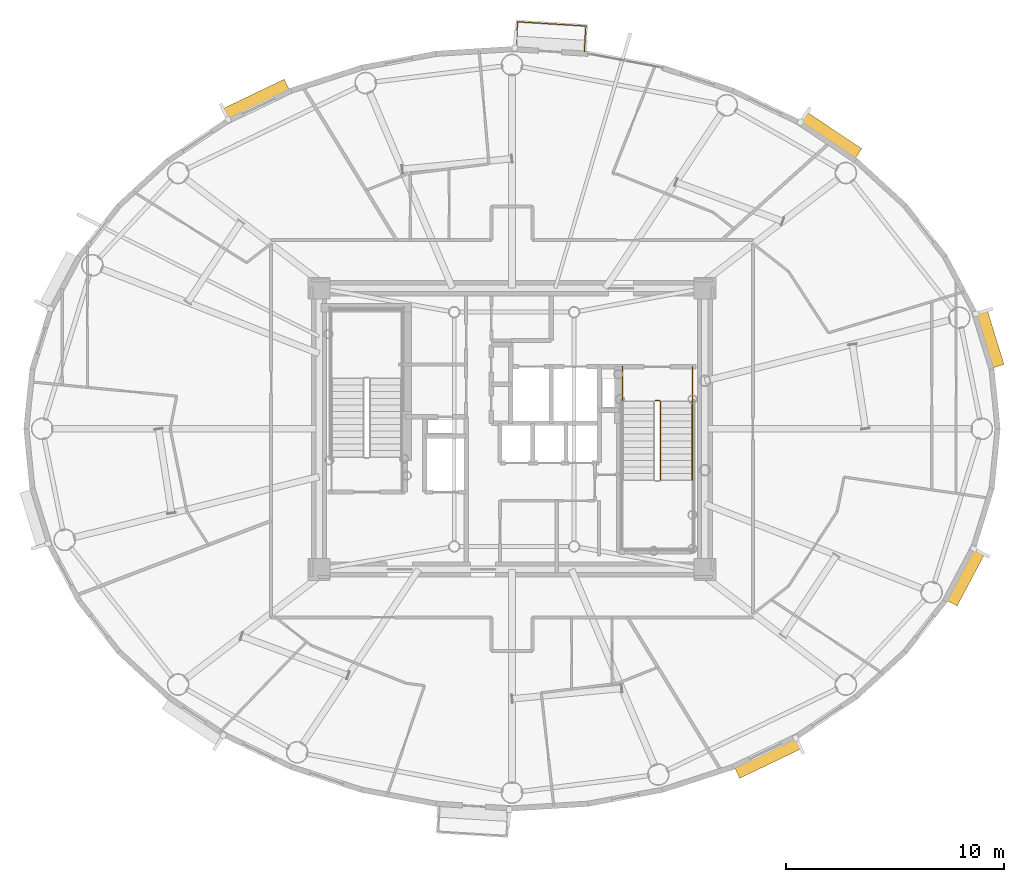
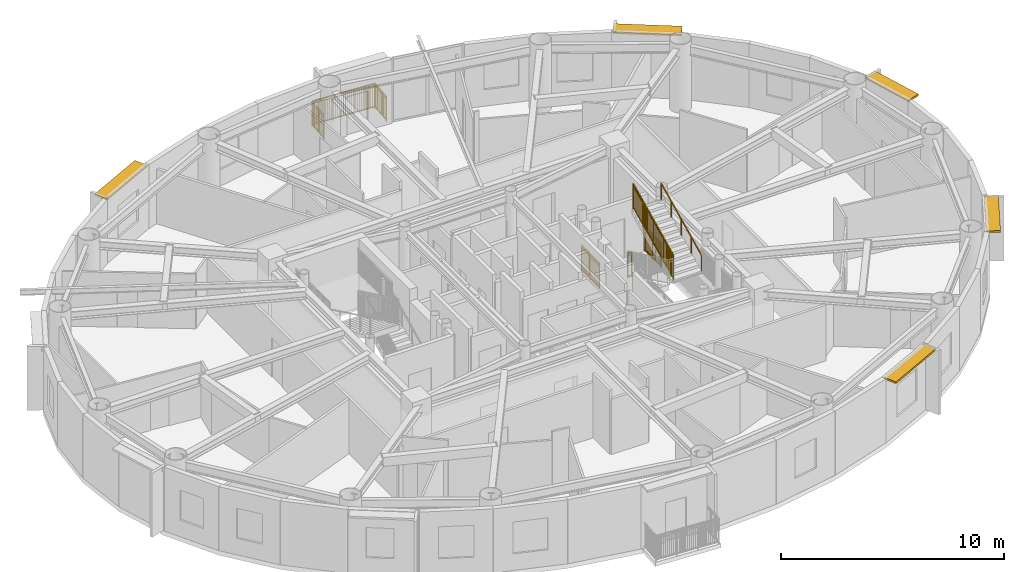
# One storey, part 19 of 20: 6 railings, 5 shading devices.
"""IFC4 building model written with IfcOpenShell, lengths in metres."""

from ifc_helpers import new_model, si_unit, direction, frame, origin, origin_2d, place, context, subcontext, project, spatial, rectangle, extrude, source, transform, mapped, material, layer, layer_set, type_object, element, save


model = new_model("IFC4")

# Units and contexts
model_context = context("Model", 3, precision=1e-05, world=origin(), true_north=direction((0.0, 1.0)))
body_context = subcontext(model_context, "Body", "Model", "MODEL_VIEW")
ifc_project = project(units=[si_unit("LENGTHUNIT", "METRE"), si_unit("AREAUNIT", "SQUARE_METRE"), si_unit("VOLUMEUNIT", "CUBIC_METRE"), si_unit("PLANEANGLEUNIT", "RADIAN"), si_unit("MASSUNIT", "GRAM", prefix="KILO")], contexts=[model_context])

# Site, building, storey
site_placement = place(None, origin())
site = spatial("IfcSite", under=ifc_project, at=site_placement, CompositionType="ELEMENT")
building_placement = place(site_placement, origin())
building = spatial("IfcBuilding", under=site, at=building_placement, Name="Linh Dai School and Residence Tower", CompositionType="ELEMENT")
storey_placement = place(building_placement, frame((0.0, 0.0, 288.0)))
storey = spatial("IfcBuildingStorey", under=building, at=storey_placement, Name="L71", CompositionType="ELEMENT", Elevation=288.0)

# Shading devices
ifc_material_1 = material(Name="Terracotta Ceramic Sunshade", Category="masonry")
ifc_layer = layer(ifc_material_1, 0.10009765625)
ifc_layer_set = layer_set([ifc_layer], Name="Terracotta Ceramic Sunshade")
shading_device_type = type_object("IfcShadingDeviceType", Name="SHD-TC-650", PredefinedType="USERDEFINED", material=ifc_layer_set)
shared_shape_1 = source(origin(), body_context, "Body", "SweptSolid", [
    extrude(rectangle(XDim=2.6640625, YDim=0.64990234375, at=origin_2d()), origin(), (0.0, 0.0, 1.0), 0.10009765625),
])
shading_device_1_placement = place(storey_placement, frame((57.867431640625, 31.129150390625, 3.3798828125), z_axis=(0.0, 0.0, 1.0), x_axis=(0.293140945944, -0.956069236934, 0.0)))
element("IfcShadingDevice", 1, at=shading_device_1_placement, inside=storey, type_object=shading_device_type, Name="L71 Terracotta Horizontal Sunshade Band 02", ObjectType="SUNSHADE", PredefinedType="USERDEFINED", context=body_context, shape_type="MappedRepresentation", body=[
    mapped(shared_shape_1, transform((0.0, 0.0, 0.0), x_axis=(1.0, 0.0, 0.0), y_axis=(0.0, 1.0, 0.0), z_axis=(0.0, 0.0, 1.0), scale=1.0)),
])
shared_shape_2 = source(origin(), body_context, "Body", "SweptSolid", [
    extrude(rectangle(XDim=3.069091796875, YDim=0.64990234375, at=origin_2d()), origin(), (0.0, 0.0, 1.0), 0.10009765625),
])
shading_device_2_placement = place(storey_placement, frame((50.591796875, 40.4296875, 3.3798828125), z_axis=(0.0, 0.0, 1.0), x_axis=(0.831243873264, -0.555907926874, 0.0)))
element("IfcShadingDevice", 2, at=shading_device_2_placement, inside=storey, type_object=shading_device_type, Name="L71 Terracotta Horizontal Sunshade Band 06", ObjectType="SUNSHADE", PredefinedType="USERDEFINED", context=body_context, shape_type="MappedRepresentation", body=[
    mapped(shared_shape_2, transform((0.0, 0.0, 0.0), x_axis=(1.0, 0.0, 0.0), y_axis=(0.0, 1.0, 0.0), z_axis=(0.0, 0.0, 1.0), scale=1.0)),
])
shared_shape_3 = source(origin(), body_context, "Body", "SweptSolid", [
    extrude(rectangle(XDim=3.1748046875, YDim=0.64990234375, at=origin_2d()), origin(), (0.0, 0.0, 1.0), 0.10009765625),
])
for number, where, z_axis, x_axis, name in (
    (3, (24.262939453125, 42.0537109375, 3.3798828125), (0.0, 0.0, 1.0), (0.901580240323, 0.432611916456, 0.0), "L71 Terracotta Horizontal Sunshade Band 14"),
    (4, (47.737060546875, 11.9462890625, 3.3798828125), (0.0, 0.0, 1.0), (-0.901580240323, -0.432611916456, 0.0), "L71 Terracotta Horizontal Sunshade Band 34"),
):
    element("IfcShadingDevice", number, at=place(storey_placement, frame(where, z_axis=z_axis, x_axis=x_axis)), inside=storey, type_object=shading_device_type, Name=name, ObjectType="SUNSHADE", PredefinedType="USERDEFINED", context=body_context, shape_type="MappedRepresentation", body=[
        mapped(shared_shape_3, transform((0.0, 0.0, 0.0), x_axis=(1.0, 0.0, 0.0), y_axis=(0.0, 1.0, 0.0), z_axis=(0.0, 0.0, 1.0), scale=1.0)),
    ])
shared_shape_4 = source(origin(), body_context, "Body", "SweptSolid", [
    extrude(rectangle(XDim=2.739501953125, YDim=0.64990234375, at=origin_2d()), origin(), (0.0, 0.0, 1.0), 0.10009765625),
])
shading_device_3_placement = place(storey_placement, frame((56.77294921875, 20.233154296875, 3.3798828125), z_axis=(0.0, 0.0, 1.0), x_axis=(-0.467603531201, -0.883938310975, 0.0)))
element("IfcShadingDevice", 5, at=shading_device_3_placement, inside=storey, type_object=shading_device_type, Name="L71 Terracotta Horizontal Sunshade Band 38", ObjectType="SUNSHADE", PredefinedType="USERDEFINED", context=body_context, shape_type="MappedRepresentation", body=[
    mapped(shared_shape_4, transform((0.0, 0.0, 0.0), x_axis=(1.0, 0.0, 0.0), y_axis=(0.0, 1.0, 0.0), z_axis=(0.0, 0.0, 1.0), scale=1.0)),
])

# Railings
ifc_material_2 = material(Name="Structural Steel S355JR", Category="steel")
railing_type_1 = type_object("IfcRailingType", Name="RL-BAL-1400", PredefinedType="BALUSTRADE", material=ifc_material_2)
shared_shape_5 = source(origin(), body_context, "Body", "SweptSolid", [
    extrude(rectangle(XDim=0.048095703125, YDim=0.048095703125, at=origin_2d()), frame((0.0, 0.0, 1.3759765625), z_axis=(0.061656929038, 0.99809740161, 0.0), x_axis=(-0.99809740161, 0.061656929038, 0.0)), (0.0, 0.0, 1.0), 1.179931640625),
    extrude(rectangle(XDim=0.048095703125, YDim=0.048095703125, at=origin_2d()), frame((0.0, 0.0, 0.10009765625), z_axis=(0.061656929038, 0.99809740161, 0.0), x_axis=(-0.99809740161, 0.061656929038, 0.0)), (0.0, 0.0, 1.0), 1.179931640625),
    extrude(rectangle(XDim=0.030029296875, YDim=0.030029296875, at=origin_2d()), frame((0.0, 0.0, 1.239990234375), z_axis=(0.061656929038, 0.99809740161, 0.0), x_axis=(-0.99809740161, 0.061656929038, 0.0)), (0.0, 0.0, 1.0), 1.179931640625),
    extrude(rectangle(XDim=0.02001953125, YDim=0.02001953125, at=origin_2d()), frame((0.005615234375, 0.090576171875, 0.10009765625)), (0.0, 0.0, 1.0), 1.251708984375),
    extrude(rectangle(XDim=0.02001953125, YDim=0.02001953125, at=origin_2d()), frame((0.01123046875, 0.18115234375, 0.10009765625)), (0.0, 0.0, 1.0), 1.251708984375),
    extrude(rectangle(XDim=0.02001953125, YDim=0.02001953125, at=origin_2d()), frame((0.016845703125, 0.271728515625, 0.10009765625)), (0.0, 0.0, 1.0), 1.251708984375),
    extrude(rectangle(XDim=0.02001953125, YDim=0.02001953125, at=origin_2d()), frame((0.0224609375, 0.3623046875, 0.10009765625)), (0.0, 0.0, 1.0), 1.251708984375),
    extrude(rectangle(XDim=0.02001953125, YDim=0.02001953125, at=origin_2d()), frame((0.028076171875, 0.452880859375, 0.10009765625)), (0.0, 0.0, 1.0), 1.251708984375),
    extrude(rectangle(XDim=0.02001953125, YDim=0.02001953125, at=origin_2d()), frame((0.03369140625, 0.54345703125, 0.10009765625)), (0.0, 0.0, 1.0), 1.251708984375),
    extrude(rectangle(XDim=0.02001953125, YDim=0.02001953125, at=origin_2d()), frame((0.0390625, 0.63427734375, 0.10009765625)), (0.0, 0.0, 1.0), 1.251708984375),
    extrude(rectangle(XDim=0.02001953125, YDim=0.02001953125, at=origin_2d()), frame((0.044677734375, 0.724853515625, 0.10009765625)), (0.0, 0.0, 1.0), 1.251708984375),
    extrude(rectangle(XDim=0.02001953125, YDim=0.02001953125, at=origin_2d()), frame((0.05029296875, 0.8154296875, 0.10009765625)), (0.0, 0.0, 1.0), 1.251708984375),
    extrude(rectangle(XDim=0.02001953125, YDim=0.02001953125, at=origin_2d()), frame((0.055908203125, 0.906005859375, 0.10009765625)), (0.0, 0.0, 1.0), 1.251708984375),
    extrude(rectangle(XDim=0.02001953125, YDim=0.02001953125, at=origin_2d()), frame((0.0615234375, 0.99658203125, 0.10009765625)), (0.0, 0.0, 1.0), 1.251708984375),
    extrude(rectangle(XDim=0.02001953125, YDim=0.02001953125, at=origin_2d()), frame((0.067138671875, 1.087158203125, 0.10009765625)), (0.0, 0.0, 1.0), 1.251708984375),
    extrude(rectangle(XDim=0.048095703125, YDim=0.048095703125, at=origin_2d()), frame((0.07275390625, 1.177734375, 1.3759765625), z_axis=(0.998106137057, -0.061515357175, 0.0), x_axis=(0.061515357175, 0.998106137057, 0.0)), (0.0, 0.0, 1.0), 3.13525390625),
    extrude(rectangle(XDim=0.048095703125, YDim=0.048095703125, at=origin_2d()), frame((0.07275390625, 1.177734375, 0.10009765625), z_axis=(0.998106137057, -0.061515357175, 0.0), x_axis=(0.061515357175, 0.998106137057, 0.0)), (0.0, 0.0, 1.0), 3.13525390625),
    extrude(rectangle(XDim=0.030029296875, YDim=0.030029296875, at=origin_2d()), frame((0.07275390625, 1.177734375, 1.239990234375), z_axis=(0.998106137057, -0.061515357175, 0.0), x_axis=(0.061515357175, 0.998106137057, 0.0)), (0.0, 0.0, 1.0), 3.13525390625),
    extrude(rectangle(XDim=0.02001953125, YDim=0.02001953125, at=origin_2d()), frame((0.170654296875, 1.171630859375, 0.10009765625)), (0.0, 0.0, 1.0), 1.251708984375),
    extrude(rectangle(XDim=0.02001953125, YDim=0.02001953125, at=origin_2d()), frame((0.268310546875, 1.165771484375, 0.10009765625)), (0.0, 0.0, 1.0), 1.251708984375),
    extrude(rectangle(XDim=0.02001953125, YDim=0.02001953125, at=origin_2d()), frame((0.3662109375, 1.15966796875, 0.10009765625)), (0.0, 0.0, 1.0), 1.251708984375),
    extrude(rectangle(XDim=0.02001953125, YDim=0.02001953125, at=origin_2d()), frame((0.4638671875, 1.153564453125, 0.10009765625)), (0.0, 0.0, 1.0), 1.251708984375),
    extrude(rectangle(XDim=0.02001953125, YDim=0.02001953125, at=origin_2d()), frame((0.561767578125, 1.147705078125, 0.10009765625)), (0.0, 0.0, 1.0), 1.251708984375),
    extrude(rectangle(XDim=0.02001953125, YDim=0.02001953125, at=origin_2d()), frame((0.659423828125, 1.1416015625, 0.10009765625)), (0.0, 0.0, 1.0), 1.251708984375),
    extrude(rectangle(XDim=0.02001953125, YDim=0.02001953125, at=origin_2d()), frame((0.75732421875, 1.135498046875, 0.10009765625)), (0.0, 0.0, 1.0), 1.251708984375),
    extrude(rectangle(XDim=0.02001953125, YDim=0.02001953125, at=origin_2d()), frame((0.85498046875, 1.12939453125, 0.10009765625)), (0.0, 0.0, 1.0), 1.251708984375),
    extrude(rectangle(XDim=0.02001953125, YDim=0.02001953125, at=origin_2d()), frame((0.952880859375, 1.12353515625, 0.10009765625)), (0.0, 0.0, 1.0), 1.251708984375),
    extrude(rectangle(XDim=0.02001953125, YDim=0.02001953125, at=origin_2d()), frame((1.05078125, 1.117431640625, 0.10009765625)), (0.0, 0.0, 1.0), 1.251708984375),
    extrude(rectangle(XDim=0.02001953125, YDim=0.02001953125, at=origin_2d()), frame((1.246337890625, 1.10546875, 0.10009765625)), (0.0, 0.0, 1.0), 1.251708984375),
    extrude(rectangle(XDim=0.02001953125, YDim=0.02001953125, at=origin_2d()), frame((1.343994140625, 1.099365234375, 0.10009765625)), (0.0, 0.0, 1.0), 1.251708984375),
    extrude(rectangle(XDim=0.02001953125, YDim=0.02001953125, at=origin_2d()), frame((1.44189453125, 1.09326171875, 0.10009765625)), (0.0, 0.0, 1.0), 1.251708984375),
    extrude(rectangle(XDim=0.02001953125, YDim=0.02001953125, at=origin_2d()), frame((1.53955078125, 1.08740234375, 0.10009765625)), (0.0, 0.0, 1.0), 1.251708984375),
    extrude(rectangle(XDim=0.02001953125, YDim=0.02001953125, at=origin_2d()), frame((1.637451171875, 1.081298828125, 0.10009765625)), (0.0, 0.0, 1.0), 1.251708984375),
    extrude(rectangle(XDim=0.02001953125, YDim=0.02001953125, at=origin_2d()), frame((1.7353515625, 1.0751953125, 0.10009765625)), (0.0, 0.0, 1.0), 1.251708984375),
    extrude(rectangle(XDim=0.02001953125, YDim=0.02001953125, at=origin_2d()), frame((1.8330078125, 1.0693359375, 0.10009765625)), (0.0, 0.0, 1.0), 1.251708984375),
    extrude(rectangle(XDim=0.02001953125, YDim=0.02001953125, at=origin_2d()), frame((1.930908203125, 1.063232421875, 0.10009765625)), (0.0, 0.0, 1.0), 1.251708984375),
    extrude(rectangle(XDim=0.02001953125, YDim=0.02001953125, at=origin_2d()), frame((2.028564453125, 1.05712890625, 0.10009765625)), (0.0, 0.0, 1.0), 1.251708984375),
    extrude(rectangle(XDim=0.02001953125, YDim=0.02001953125, at=origin_2d()), frame((2.22412109375, 1.045166015625, 0.10009765625)), (0.0, 0.0, 1.0), 1.251708984375),
    extrude(rectangle(XDim=0.02001953125, YDim=0.02001953125, at=origin_2d()), frame((2.322021484375, 1.0390625, 0.10009765625)), (0.0, 0.0, 1.0), 1.251708984375),
    extrude(rectangle(XDim=0.02001953125, YDim=0.02001953125, at=origin_2d()), frame((2.419921875, 1.033203125, 0.10009765625)), (0.0, 0.0, 1.0), 1.251708984375),
    extrude(rectangle(XDim=0.02001953125, YDim=0.02001953125, at=origin_2d()), frame((2.517578125, 1.027099609375, 0.10009765625)), (0.0, 0.0, 1.0), 1.251708984375),
    extrude(rectangle(XDim=0.02001953125, YDim=0.02001953125, at=origin_2d()), frame((2.615478515625, 1.02099609375, 0.10009765625)), (0.0, 0.0, 1.0), 1.251708984375),
    extrude(rectangle(XDim=0.02001953125, YDim=0.02001953125, at=origin_2d()), frame((2.713134765625, 1.014892578125, 0.10009765625)), (0.0, 0.0, 1.0), 1.251708984375),
    extrude(rectangle(XDim=0.02001953125, YDim=0.02001953125, at=origin_2d()), frame((2.81103515625, 1.009033203125, 0.10009765625)), (0.0, 0.0, 1.0), 1.251708984375),
    extrude(rectangle(XDim=0.02001953125, YDim=0.02001953125, at=origin_2d()), frame((2.90869140625, 1.0029296875, 0.10009765625)), (0.0, 0.0, 1.0), 1.251708984375),
    extrude(rectangle(XDim=0.02001953125, YDim=0.02001953125, at=origin_2d()), frame((3.006591796875, 0.996826171875, 0.10009765625)), (0.0, 0.0, 1.0), 1.251708984375),
    extrude(rectangle(XDim=0.02001953125, YDim=0.02001953125, at=origin_2d()), frame((3.104248046875, 0.990966796875, 0.10009765625)), (0.0, 0.0, 1.0), 1.251708984375),
    extrude(rectangle(XDim=0.048095703125, YDim=0.048095703125, at=origin_2d()), frame((3.2021484375, 0.98486328125, 1.3759765625), z_axis=(-0.061656929038, -0.99809740161, 0.0), x_axis=(0.99809740161, -0.061656929038, 0.0)), (0.0, 0.0, 1.0), 1.179931640625),
    extrude(rectangle(XDim=0.048095703125, YDim=0.048095703125, at=origin_2d()), frame((3.2021484375, 0.98486328125, 0.10009765625), z_axis=(-0.061656929038, -0.99809740161, 0.0), x_axis=(0.99809740161, -0.061656929038, 0.0)), (0.0, 0.0, 1.0), 1.179931640625),
    extrude(rectangle(XDim=0.030029296875, YDim=0.030029296875, at=origin_2d()), frame((3.2021484375, 0.98486328125, 1.239990234375), z_axis=(-0.061656929038, -0.99809740161, 0.0), x_axis=(0.99809740161, -0.061656929038, 0.0)), (0.0, 0.0, 1.0), 1.179931640625),
    extrude(rectangle(XDim=0.02001953125, YDim=0.02001953125, at=origin_2d()), frame((3.196533203125, 0.894287109375, 0.10009765625)), (0.0, 0.0, 1.0), 1.251708984375),
    extrude(rectangle(XDim=0.02001953125, YDim=0.02001953125, at=origin_2d()), frame((3.19091796875, 0.8037109375, 0.10009765625)), (0.0, 0.0, 1.0), 1.251708984375),
    extrude(rectangle(XDim=0.02001953125, YDim=0.02001953125, at=origin_2d()), frame((3.185302734375, 0.713134765625, 0.10009765625)), (0.0, 0.0, 1.0), 1.251708984375),
    extrude(rectangle(XDim=0.02001953125, YDim=0.02001953125, at=origin_2d()), frame((3.1796875, 0.62255859375, 0.10009765625)), (0.0, 0.0, 1.0), 1.251708984375),
    extrude(rectangle(XDim=0.02001953125, YDim=0.02001953125, at=origin_2d()), frame((3.174072265625, 0.531982421875, 0.10009765625)), (0.0, 0.0, 1.0), 1.251708984375),
    extrude(rectangle(XDim=0.02001953125, YDim=0.02001953125, at=origin_2d()), frame((3.16845703125, 0.44140625, 0.10009765625)), (0.0, 0.0, 1.0), 1.251708984375),
    extrude(rectangle(XDim=0.02001953125, YDim=0.02001953125, at=origin_2d()), frame((3.1630859375, 0.3505859375, 0.10009765625)), (0.0, 0.0, 1.0), 1.251708984375),
    extrude(rectangle(XDim=0.02001953125, YDim=0.02001953125, at=origin_2d()), frame((3.157470703125, 0.260009765625, 0.10009765625)), (0.0, 0.0, 1.0), 1.251708984375),
    extrude(rectangle(XDim=0.02001953125, YDim=0.02001953125, at=origin_2d()), frame((3.15185546875, 0.16943359375, 0.10009765625)), (0.0, 0.0, 1.0), 1.251708984375),
    extrude(rectangle(XDim=0.02001953125, YDim=0.02001953125, at=origin_2d()), frame((3.146240234375, 0.078857421875, 0.10009765625)), (0.0, 0.0, 1.0), 1.251708984375),
    extrude(rectangle(XDim=0.02001953125, YDim=0.02001953125, at=origin_2d()), frame((3.140625, -0.01171875, 0.10009765625)), (0.0, 0.0, 1.0), 1.251708984375),
    extrude(rectangle(XDim=0.02001953125, YDim=0.02001953125, at=origin_2d()), frame((3.135009765625, -0.102294921875, 0.10009765625)), (0.0, 0.0, 1.0), 1.251708984375),
    extrude(rectangle(XDim=0.0419921875, YDim=0.0419921875, at=origin_2d()), origin(), (0.0, 0.0, 1.0), 1.3759765625),
    extrude(rectangle(XDim=0.0419921875, YDim=0.0419921875, at=origin_2d()), frame((0.07275390625, 1.177734375, 0.0)), (0.0, 0.0, 1.0), 1.3759765625),
    extrude(rectangle(XDim=0.0419921875, YDim=0.0419921875, at=origin_2d()), frame((1.115966796875, 1.113525390625, 0.0)), (0.0, 0.0, 1.0), 1.3759765625),
    extrude(rectangle(XDim=0.0419921875, YDim=0.0419921875, at=origin_2d()), frame((2.158935546875, 1.049072265625, 0.0)), (0.0, 0.0, 1.0), 1.3759765625),
    extrude(rectangle(XDim=0.0419921875, YDim=0.0419921875, at=origin_2d()), frame((3.2021484375, 0.98486328125, 0.0)), (0.0, 0.0, 1.0), 1.3759765625),
    extrude(rectangle(XDim=0.0419921875, YDim=0.0419921875, at=origin_2d()), frame((3.12939453125, -0.19287109375, 0.0)), (0.0, 0.0, 1.0), 1.3759765625),
])
railing_1_placement = place(storey_placement, frame((36.184814453125, 44.48876953125, 0.0)))
element("IfcRailing", 6, at=railing_1_placement, inside=storey, type_object=railing_type_1, Name="L71 Balcony Safety Balustrade 10", PredefinedType="BALUSTRADE", context=body_context, shape_type="MappedRepresentation", body=[
    mapped(shared_shape_5, transform((0.0, 0.0, 0.0), x_axis=(1.0, 0.0, 0.0), y_axis=(0.0, 1.0, 0.0), z_axis=(0.0, 0.0, 1.0), scale=1.0)),
])
railing_type_2 = type_object("IfcRailingType", Name="RL-ST-GUARD-1400", PredefinedType="GUARDRAIL", material=ifc_material_2)
shared_shape_6 = source(origin(), body_context, "Body", "SweptSolid", [
    extrude(rectangle(XDim=0.048095703125, YDim=0.048095703125, at=origin_2d()), frame((0.0, 0.0, 1.3759765625), z_axis=(0.0, 0.901262522062, 0.433273431364), x_axis=(-1.0, 0.0, 0.0)), (0.0, 0.0, 1.0), 3.994384765625),
    extrude(rectangle(XDim=0.048095703125, YDim=0.048095703125, at=origin_2d()), frame((0.0, 0.0, 0.10009765625), z_axis=(0.0, 0.901262522062, 0.433273431364), x_axis=(-1.0, 0.0, 0.0)), (0.0, 0.0, 1.0), 3.994384765625),
    extrude(rectangle(XDim=0.030029296875, YDim=0.030029296875, at=origin_2d()), frame((0.0, 0.0, 1.239990234375), z_axis=(0.0, 0.901262522062, 0.433273431364), x_axis=(-1.0, 0.0, 0.0)), (0.0, 0.0, 1.0), 3.994384765625),
    extrude(rectangle(XDim=0.02001953125, YDim=0.02001953125, at=origin_2d()), frame((0.0, 0.087890625, 0.142333984375)), (0.0, 0.0, 1.0), 1.251708984375),
    extrude(rectangle(XDim=0.02001953125, YDim=0.02001953125, at=origin_2d()), frame((0.0, 0.175537109375, 0.1845703125)), (0.0, 0.0, 1.0), 1.251708984375),
    extrude(rectangle(XDim=0.02001953125, YDim=0.02001953125, at=origin_2d()), frame((0.0, 0.263427734375, 0.226806640625)), (0.0, 0.0, 1.0), 1.251708984375),
    extrude(rectangle(XDim=0.02001953125, YDim=0.02001953125, at=origin_2d()), frame((0.0, 0.351318359375, 0.26904296875)), (0.0, 0.0, 1.0), 1.251708984375),
    extrude(rectangle(XDim=0.02001953125, YDim=0.02001953125, at=origin_2d()), frame((0.0, 0.43896484375, 0.311279296875)), (0.0, 0.0, 1.0), 1.251708984375),
    extrude(rectangle(XDim=0.02001953125, YDim=0.02001953125, at=origin_2d()), frame((0.0, 0.52685546875, 0.353271484375)), (0.0, 0.0, 1.0), 1.251708984375),
    extrude(rectangle(XDim=0.02001953125, YDim=0.02001953125, at=origin_2d()), frame((0.0, 0.61474609375, 0.3955078125)), (0.0, 0.0, 1.0), 1.251708984375),
    extrude(rectangle(XDim=0.02001953125, YDim=0.02001953125, at=origin_2d()), frame((0.0, 0.702392578125, 0.437744140625)), (0.0, 0.0, 1.0), 1.251708984375),
    extrude(rectangle(XDim=0.02001953125, YDim=0.02001953125, at=origin_2d()), frame((0.0, 0.790283203125, 0.47998046875)), (0.0, 0.0, 1.0), 1.251708984375),
    extrude(rectangle(XDim=0.02001953125, YDim=0.02001953125, at=origin_2d()), frame((0.0, 0.9658203125, 0.564453125)), (0.0, 0.0, 1.0), 1.251708984375),
    extrude(rectangle(XDim=0.02001953125, YDim=0.02001953125, at=origin_2d()), frame((0.0, 1.0537109375, 0.606689453125)), (0.0, 0.0, 1.0), 1.251708984375),
    extrude(rectangle(XDim=0.02001953125, YDim=0.02001953125, at=origin_2d()), frame((0.0, 1.1416015625, 0.64892578125)), (0.0, 0.0, 1.0), 1.251708984375),
    extrude(rectangle(XDim=0.02001953125, YDim=0.02001953125, at=origin_2d()), frame((0.0, 1.229248046875, 0.691162109375)), (0.0, 0.0, 1.0), 1.251708984375),
    extrude(rectangle(XDim=0.02001953125, YDim=0.02001953125, at=origin_2d()), frame((0.0, 1.317138671875, 0.7333984375)), (0.0, 0.0, 1.0), 1.251708984375),
    extrude(rectangle(XDim=0.02001953125, YDim=0.02001953125, at=origin_2d()), frame((0.0, 1.405029296875, 0.775390625)), (0.0, 0.0, 1.0), 1.251708984375),
    extrude(rectangle(XDim=0.02001953125, YDim=0.02001953125, at=origin_2d()), frame((0.0, 1.49267578125, 0.817626953125)), (0.0, 0.0, 1.0), 1.251708984375),
    extrude(rectangle(XDim=0.02001953125, YDim=0.02001953125, at=origin_2d()), frame((0.0, 1.58056640625, 0.85986328125)), (0.0, 0.0, 1.0), 1.251708984375),
    extrude(rectangle(XDim=0.02001953125, YDim=0.02001953125, at=origin_2d()), frame((0.0, 1.66845703125, 0.902099609375)), (0.0, 0.0, 1.0), 1.251708984375),
    extrude(rectangle(XDim=0.02001953125, YDim=0.02001953125, at=origin_2d()), frame((0.0, 1.756103515625, 0.9443359375)), (0.0, 0.0, 1.0), 1.251708984375),
    extrude(rectangle(XDim=0.02001953125, YDim=0.02001953125, at=origin_2d()), frame((0.0, 1.843994140625, 0.986572265625)), (0.0, 0.0, 1.0), 1.251708984375),
    extrude(rectangle(XDim=0.02001953125, YDim=0.02001953125, at=origin_2d()), frame((0.0, 1.931640625, 1.02880859375)), (0.0, 0.0, 1.0), 1.251708984375),
    extrude(rectangle(XDim=0.02001953125, YDim=0.02001953125, at=origin_2d()), frame((0.0, 2.01953125, 1.071044921875)), (0.0, 0.0, 1.0), 1.251708984375),
    extrude(rectangle(XDim=0.02001953125, YDim=0.02001953125, at=origin_2d()), frame((0.0, 2.107421875, 1.11328125)), (0.0, 0.0, 1.0), 1.251708984375),
    extrude(rectangle(XDim=0.02001953125, YDim=0.02001953125, at=origin_2d()), frame((0.0, 2.195068359375, 1.155517578125)), (0.0, 0.0, 1.0), 1.251708984375),
    extrude(rectangle(XDim=0.02001953125, YDim=0.02001953125, at=origin_2d()), frame((0.0, 2.282958984375, 1.197509765625)), (0.0, 0.0, 1.0), 1.251708984375),
    extrude(rectangle(XDim=0.02001953125, YDim=0.02001953125, at=origin_2d()), frame((0.0, 2.370849609375, 1.23974609375)), (0.0, 0.0, 1.0), 1.251708984375),
    extrude(rectangle(XDim=0.02001953125, YDim=0.02001953125, at=origin_2d()), frame((0.0, 2.45849609375, 1.281982421875)), (0.0, 0.0, 1.0), 1.251708984375),
    extrude(rectangle(XDim=0.02001953125, YDim=0.02001953125, at=origin_2d()), frame((0.0, 2.54638671875, 1.32421875)), (0.0, 0.0, 1.0), 1.251708984375),
    extrude(rectangle(XDim=0.02001953125, YDim=0.02001953125, at=origin_2d()), frame((0.0, 2.63427734375, 1.366455078125)), (0.0, 0.0, 1.0), 1.251708984375),
    extrude(rectangle(XDim=0.02001953125, YDim=0.02001953125, at=origin_2d()), frame((0.0, 2.809814453125, 1.450927734375)), (0.0, 0.0, 1.0), 1.251708984375),
    extrude(rectangle(XDim=0.02001953125, YDim=0.02001953125, at=origin_2d()), frame((0.0, 2.897705078125, 1.4931640625)), (0.0, 0.0, 1.0), 1.251708984375),
    extrude(rectangle(XDim=0.02001953125, YDim=0.02001953125, at=origin_2d()), frame((0.0, 2.9853515625, 1.535400390625)), (0.0, 0.0, 1.0), 1.251708984375),
    extrude(rectangle(XDim=0.02001953125, YDim=0.02001953125, at=origin_2d()), frame((0.0, 3.0732421875, 1.57763671875)), (0.0, 0.0, 1.0), 1.251708984375),
    extrude(rectangle(XDim=0.02001953125, YDim=0.02001953125, at=origin_2d()), frame((0.0, 3.1611328125, 1.61962890625)), (0.0, 0.0, 1.0), 1.251708984375),
    extrude(rectangle(XDim=0.02001953125, YDim=0.02001953125, at=origin_2d()), frame((0.0, 3.248779296875, 1.661865234375)), (0.0, 0.0, 1.0), 1.251708984375),
    extrude(rectangle(XDim=0.02001953125, YDim=0.02001953125, at=origin_2d()), frame((0.0, 3.336669921875, 1.7041015625)), (0.0, 0.0, 1.0), 1.251708984375),
    extrude(rectangle(XDim=0.02001953125, YDim=0.02001953125, at=origin_2d()), frame((0.0, 3.424560546875, 1.746337890625)), (0.0, 0.0, 1.0), 1.251708984375),
    extrude(rectangle(XDim=0.02001953125, YDim=0.02001953125, at=origin_2d()), frame((0.0, 3.51220703125, 1.78857421875)), (0.0, 0.0, 1.0), 1.251708984375),
    extrude(rectangle(XDim=0.0419921875, YDim=0.0419921875, at=origin_2d()), origin(), (0.0, 0.0, 1.0), 1.3759765625),
    extrude(rectangle(XDim=0.0419921875, YDim=0.0419921875, at=origin_2d()), frame((0.0, 0.89990234375, 0.4326171875)), (0.0, 0.0, 1.0), 1.3759765625),
    extrude(rectangle(XDim=0.0419921875, YDim=0.0419921875, at=origin_2d()), frame((0.0, 1.800048828125, 0.865234375)), (0.0, 0.0, 1.0), 1.3759765625),
    extrude(rectangle(XDim=0.0419921875, YDim=0.0419921875, at=origin_2d()), frame((0.0, 2.7001953125, 1.298095703125)), (0.0, 0.0, 1.0), 1.3759765625),
    extrude(rectangle(XDim=0.0419921875, YDim=0.0419921875, at=origin_2d()), frame((0.0, 3.60009765625, 1.730712890625)), (0.0, 0.0, 1.0), 1.3759765625),
])
railing_2_placement = place(storey_placement, frame((42.820068359375, 24.64990234375, 2.019287109375)))
element("IfcRailing", 7, at=railing_2_placement, inside=storey, type_object=railing_type_2, Name="L71 ST2 stair guard 6", PredefinedType="GUARDRAIL", context=body_context, shape_type="MappedRepresentation", body=[
    mapped(shared_shape_6, transform((0.0, 0.0, 0.0), x_axis=(1.0, 0.0, 0.0), y_axis=(0.0, 1.0, 0.0), z_axis=(0.0, 0.0, 1.0), scale=1.0)),
])
ifc_material_3 = material(Name="Brushed Stainless Steel Handrail", Category="steel")
railing_type_3 = type_object("IfcRailingType", Name="RL-ST-HANDRAIL-900", PredefinedType="HANDRAIL", material=ifc_material_3)
shared_shape_7 = source(origin(), body_context, "Body", "SweptSolid", [
    extrude(rectangle(XDim=0.048095703125, YDim=0.048095703125, at=origin_2d()), frame((0.0, 0.0, 0.8759765625), z_axis=(0.0, 0.901262522062, 0.433273431364), x_axis=(-1.0, 0.0, 0.0)), (0.0, 0.0, 1.0), 3.994384765625),
    extrude(rectangle(XDim=0.0419921875, YDim=0.0419921875, at=origin_2d()), origin(), (0.0, 0.0, 1.0), 0.8759765625),
    extrude(rectangle(XDim=0.0419921875, YDim=0.0419921875, at=origin_2d()), frame((0.0, 0.89990234375, 0.4326171875)), (0.0, 0.0, 1.0), 0.8759765625),
    extrude(rectangle(XDim=0.0419921875, YDim=0.0419921875, at=origin_2d()), frame((0.0, 1.800048828125, 0.865234375)), (0.0, 0.0, 1.0), 0.8759765625),
    extrude(rectangle(XDim=0.0419921875, YDim=0.0419921875, at=origin_2d()), frame((0.0, 2.7001953125, 1.298095703125)), (0.0, 0.0, 1.0), 0.8759765625),
    extrude(rectangle(XDim=0.0419921875, YDim=0.0419921875, at=origin_2d()), frame((0.0, 3.60009765625, 1.730712890625)), (0.0, 0.0, 1.0), 0.8759765625),
])
railing_3_placement = place(storey_placement, frame((44.27001953125, 24.64990234375, 2.019287109375)))
element("IfcRailing", 8, at=railing_3_placement, inside=storey, type_object=railing_type_3, Name="L71 ST2 stair handrail 2", PredefinedType="HANDRAIL", context=body_context, shape_type="MappedRepresentation", body=[
    mapped(shared_shape_7, transform((0.0, 0.0, 0.0), x_axis=(1.0, 0.0, 0.0), y_axis=(0.0, 1.0, 0.0), z_axis=(0.0, 0.0, 1.0), scale=1.0)),
])
shared_shape_8 = source(origin(), body_context, "Body", "SweptSolid", [
    extrude(rectangle(XDim=0.048095703125, YDim=0.048095703125, at=origin_2d()), frame((0.0, 0.0, 1.3759765625), z_axis=(1.0, 0.0, 0.0), x_axis=(0.0, 1.0, 0.0)), (0.0, 0.0, 1.0), 0.199951171875),
    extrude(rectangle(XDim=0.048095703125, YDim=0.048095703125, at=origin_2d()), frame((0.0, 0.0, 0.10009765625), z_axis=(1.0, 0.0, 0.0), x_axis=(0.0, 1.0, 0.0)), (0.0, 0.0, 1.0), 0.199951171875),
    extrude(rectangle(XDim=0.030029296875, YDim=0.030029296875, at=origin_2d()), frame((0.0, 0.0, 1.239990234375), z_axis=(1.0, 0.0, 0.0), x_axis=(0.0, 1.0, 0.0)), (0.0, 0.0, 1.0), 0.199951171875),
    extrude(rectangle(XDim=0.0419921875, YDim=0.0419921875, at=origin_2d()), origin(), (0.0, 0.0, 1.0), 1.3759765625),
    extrude(rectangle(XDim=0.0419921875, YDim=0.0419921875, at=origin_2d()), frame((0.199951171875, 0.0, 0.0)), (0.0, 0.0, 1.0), 1.3759765625),
])
railing_4_placement = place(storey_placement, frame((42.570068359375, 28.300048828125, 0.0)))
element("IfcRailing", 9, at=railing_4_placement, inside=storey, type_object=railing_type_2, Name="L71 ST2 stair guard 7", PredefinedType="GUARDRAIL", context=body_context, shape_type="MappedRepresentation", body=[
    mapped(shared_shape_8, transform((0.0, 0.0, 0.0), x_axis=(1.0, 0.0, 0.0), y_axis=(0.0, 1.0, 0.0), z_axis=(0.0, 0.0, 1.0), scale=1.0)),
])
shared_shape_9 = source(origin(), body_context, "Body", "SweptSolid", [
    extrude(rectangle(XDim=0.048095703125, YDim=0.048095703125, at=origin_2d()), frame((0.0, 0.0, 1.3759765625), z_axis=(0.0, -1.0, 0.0), x_axis=(1.0, 0.0, 0.0)), (0.0, 0.0, 1.0), 1.60009765625),
    extrude(rectangle(XDim=0.048095703125, YDim=0.048095703125, at=origin_2d()), frame((0.0, 0.0, 0.10009765625), z_axis=(0.0, -1.0, 0.0), x_axis=(1.0, 0.0, 0.0)), (0.0, 0.0, 1.0), 1.60009765625),
    extrude(rectangle(XDim=0.030029296875, YDim=0.030029296875, at=origin_2d()), frame((0.0, 0.0, 1.239990234375), z_axis=(0.0, -1.0, 0.0), x_axis=(1.0, 0.0, 0.0)), (0.0, 0.0, 1.0), 1.60009765625),
    extrude(rectangle(XDim=0.02001953125, YDim=0.02001953125, at=origin_2d()), frame((0.0, -0.09423828125, 0.10009765625)), (0.0, 0.0, 1.0), 1.251708984375),
    extrude(rectangle(XDim=0.02001953125, YDim=0.02001953125, at=origin_2d()), frame((0.0, -0.188232421875, 0.10009765625)), (0.0, 0.0, 1.0), 1.251708984375),
    extrude(rectangle(XDim=0.02001953125, YDim=0.02001953125, at=origin_2d()), frame((0.0, -0.282470703125, 0.10009765625)), (0.0, 0.0, 1.0), 1.251708984375),
    extrude(rectangle(XDim=0.02001953125, YDim=0.02001953125, at=origin_2d()), frame((0.0, -0.37646484375, 0.10009765625)), (0.0, 0.0, 1.0), 1.251708984375),
    extrude(rectangle(XDim=0.02001953125, YDim=0.02001953125, at=origin_2d()), frame((0.0, -0.470703125, 0.10009765625)), (0.0, 0.0, 1.0), 1.251708984375),
    extrude(rectangle(XDim=0.02001953125, YDim=0.02001953125, at=origin_2d()), frame((0.0, -0.564697265625, 0.10009765625)), (0.0, 0.0, 1.0), 1.251708984375),
    extrude(rectangle(XDim=0.02001953125, YDim=0.02001953125, at=origin_2d()), frame((0.0, -0.658935546875, 0.10009765625)), (0.0, 0.0, 1.0), 1.251708984375),
    extrude(rectangle(XDim=0.02001953125, YDim=0.02001953125, at=origin_2d()), frame((0.0, -0.7529296875, 0.10009765625)), (0.0, 0.0, 1.0), 1.251708984375),
    extrude(rectangle(XDim=0.02001953125, YDim=0.02001953125, at=origin_2d()), frame((0.0, -0.84716796875, 0.10009765625)), (0.0, 0.0, 1.0), 1.251708984375),
    extrude(rectangle(XDim=0.02001953125, YDim=0.02001953125, at=origin_2d()), frame((0.0, -0.941162109375, 0.10009765625)), (0.0, 0.0, 1.0), 1.251708984375),
    extrude(rectangle(XDim=0.02001953125, YDim=0.02001953125, at=origin_2d()), frame((0.0, -1.035400390625, 0.10009765625)), (0.0, 0.0, 1.0), 1.251708984375),
    extrude(rectangle(XDim=0.02001953125, YDim=0.02001953125, at=origin_2d()), frame((0.0, -1.12939453125, 0.10009765625)), (0.0, 0.0, 1.0), 1.251708984375),
    extrude(rectangle(XDim=0.02001953125, YDim=0.02001953125, at=origin_2d()), frame((0.0, -1.2236328125, 0.10009765625)), (0.0, 0.0, 1.0), 1.251708984375),
    extrude(rectangle(XDim=0.02001953125, YDim=0.02001953125, at=origin_2d()), frame((0.0, -1.317626953125, 0.10009765625)), (0.0, 0.0, 1.0), 1.251708984375),
    extrude(rectangle(XDim=0.02001953125, YDim=0.02001953125, at=origin_2d()), frame((0.0, -1.411865234375, 0.10009765625)), (0.0, 0.0, 1.0), 1.251708984375),
    extrude(rectangle(XDim=0.02001953125, YDim=0.02001953125, at=origin_2d()), frame((0.0, -1.505859375, 0.10009765625)), (0.0, 0.0, 1.0), 1.251708984375),
    extrude(rectangle(XDim=0.0419921875, YDim=0.0419921875, at=origin_2d()), origin(), (0.0, 0.0, 1.0), 1.3759765625),
    extrude(rectangle(XDim=0.0419921875, YDim=0.0419921875, at=origin_2d()), frame((0.0, -0.800048828125, 0.0)), (0.0, 0.0, 1.0), 1.3759765625),
    extrude(rectangle(XDim=0.0419921875, YDim=0.0419921875, at=origin_2d()), frame((0.0, -1.60009765625, 0.0)), (0.0, 0.0, 1.0), 1.3759765625),
])
for number, where, name in (
    (10, (41.070068359375, 29.85009765625, 0.0), "L71 ST2 stair guard 8"),
    (11, (44.27001953125, 29.85009765625, 0.0), "L71 ST2 stair guard 9"),
):
    element("IfcRailing", number, at=place(storey_placement, frame(where)), inside=storey, type_object=railing_type_2, Name=name, PredefinedType="GUARDRAIL", context=body_context, shape_type="MappedRepresentation", body=[
        mapped(shared_shape_9, transform((0.0, 0.0, 0.0), x_axis=(1.0, 0.0, 0.0), y_axis=(0.0, 1.0, 0.0), z_axis=(0.0, 0.0, 1.0), scale=1.0)),
    ])

save(model, "model.ifc")
